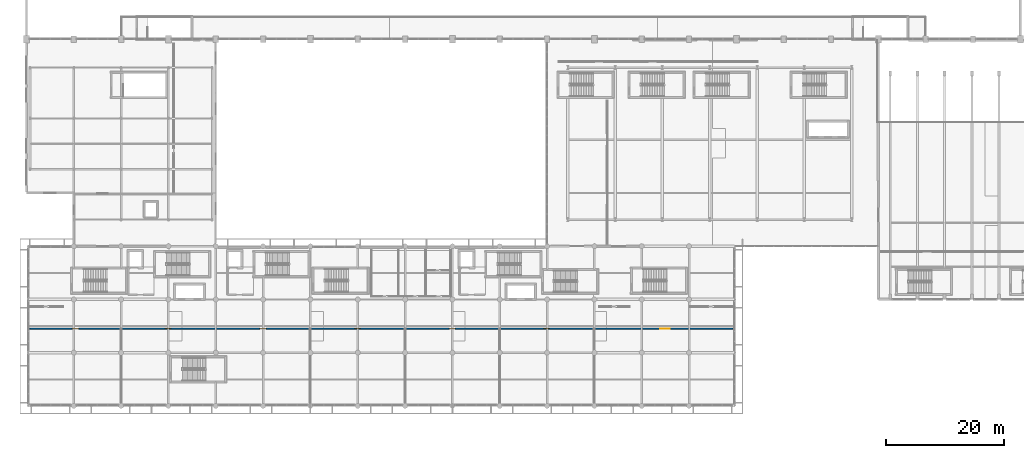
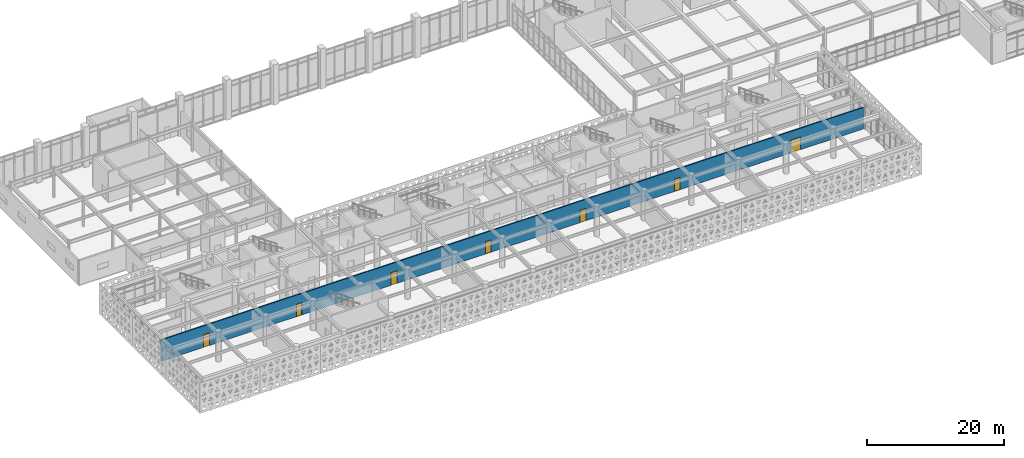
# One storey, part 61 of 84: 7 doors, 1 wall, 7 openings.
"""IFC4 building model written with IfcOpenShell, lengths in metres."""

from ifc_helpers import new_model, si_unit, direction, frame, frame_2d, origin, place, context, subcontext, project, spatial, rectangle, extrude, material, layer, layer_set, type_object, element, fill, save


model = new_model("IFC4")

# Units and contexts
model_context = context("Model", 3, precision=1e-05, world=origin(), true_north=direction((0.0, 1.0)))
body_context = subcontext(model_context, "Body", "Model", "MODEL_VIEW")
ifc_project = project(units=[si_unit("LENGTHUNIT", "METRE"), si_unit("AREAUNIT", "SQUARE_METRE"), si_unit("VOLUMEUNIT", "CUBIC_METRE"), si_unit("PLANEANGLEUNIT", "RADIAN"), si_unit("MASSUNIT", "GRAM", prefix="KILO")], contexts=[model_context])

# Site, building, storey
site_placement = place(None, origin())
site = spatial("IfcSite", under=ifc_project, at=site_placement, CompositionType="ELEMENT")
building_placement = place(site_placement, origin())
building = spatial("IfcBuilding", under=site, at=building_placement, Name="Tlacozan Convention Centre", CompositionType="ELEMENT")
storey_placement = place(building_placement, frame((0.0, 0.0, 6.0)))
storey = spatial("IfcBuildingStorey", under=building, at=storey_placement, Name="L01", CompositionType="ELEMENT", Elevation=6.0)

# Wall, openings, doors
ifc_material_1 = material(Name="Fire-Rated Gypsum Stud Partition Assembly")
ifc_layer = layer(ifc_material_1, 0.179931640625)
ifc_layer_set = layer_set([ifc_layer], Name="Fire-Rated Gypsum Stud Partition Assembly")
wall_type = type_object("IfcWallType", Name="Corridor Rated Partition 180", PredefinedType="PARTITIONING", material=ifc_layer_set)
wall_placement = place(storey_placement, frame((0.60009765625, 13.050048828125, 0.0), z_axis=(0.0, 0.0, 1.0), x_axis=(1.0, 0.0, 0.0)))
wall = element("IfcWall", 1, at=wall_placement, inside=storey, type_object=wall_type, Name="L01 Corridor Rated Partition 180 585", PredefinedType="PARTITIONING", context=body_context, shape_type="SweptSolid", body=[
    extrude(rectangle(XDim=118.7998046875, YDim=0.179931640625, at=frame_2d((59.39990234375, 0.0))), origin(), (0.0, 0.0, 1.0), 3.85009765625),
])
opening_1_placement = place(wall_placement, frame((7.14990234375, 0.0, 0.0)))
opening_1 = element("IfcOpeningElement", 2, at=opening_1_placement, cuts=wall, Name="Opening ID-02", PredefinedType="OPENING", context=body_context, shape_type="SweptSolid", body=[
    extrude(rectangle(XDim=1.050048828125, YDim=2.25, at=frame_2d((0.52490234375, 1.125))), frame((0.0, 0.099853515625, 0.0), z_axis=(0.0, -1.0, 0.0), x_axis=(1.0, 0.0, 0.0)), (0.0, 0.0, 1.0), 0.199951171875),
])
opening_2_placement = place(wall_placement, frame((22.85009765625, 0.0, 0.0)))
opening_2 = element("IfcOpeningElement", 3, at=opening_2_placement, cuts=wall, Name="Opening ID-01", PredefinedType="OPENING", context=body_context, shape_type="SweptSolid", body=[
    extrude(rectangle(XDim=0.949951171875, YDim=2.199951171875, at=frame_2d((0.47509765625, 1.10009765625))), frame((0.0, 0.099853515625, 0.0), z_axis=(0.0, -1.0, 0.0), x_axis=(1.0, 0.0, 0.0)), (0.0, 0.0, 1.0), 0.199951171875),
])
opening_3_placement = place(wall_placement, frame((38.85009765625, 0.0, 0.0)))
opening_3 = element("IfcOpeningElement", 4, at=opening_3_placement, cuts=wall, Name="Opening ID-02", PredefinedType="OPENING", context=body_context, shape_type="SweptSolid", body=[
    extrude(rectangle(XDim=1.050048828125, YDim=2.25, at=frame_2d((0.52490234375, 1.125))), frame((0.0, 0.099853515625, 0.0), z_axis=(0.0, -1.0, 0.0), x_axis=(1.0, 0.0, 0.0)), (0.0, 0.0, 1.0), 0.199951171875),
])
opening_4_placement = place(wall_placement, frame((54.85009765625, 0.0, 0.0)))
opening_4 = element("IfcOpeningElement", 5, at=opening_4_placement, cuts=wall, Name="Opening ID-01", PredefinedType="OPENING", context=body_context, shape_type="SweptSolid", body=[
    extrude(rectangle(XDim=0.949951171875, YDim=2.199951171875, at=frame_2d((0.47509765625, 1.10009765625))), frame((0.0, 0.099853515625, 0.0), z_axis=(0.0, -1.0, 0.0), x_axis=(1.0, 0.0, 0.0)), (0.0, 0.0, 1.0), 0.199951171875),
])
opening_5_placement = place(wall_placement, frame((70.85009765625, 0.0, 0.0)))
opening_5 = element("IfcOpeningElement", 6, at=opening_5_placement, cuts=wall, Name="Opening ID-02", PredefinedType="OPENING", context=body_context, shape_type="SweptSolid", body=[
    extrude(rectangle(XDim=1.050048828125, YDim=2.25, at=frame_2d((0.52490234375, 1.125))), frame((0.0, 0.099853515625, 0.0), z_axis=(0.0, -1.0, 0.0), x_axis=(1.0, 0.0, 0.0)), (0.0, 0.0, 1.0), 0.199951171875),
])
opening_6_placement = place(wall_placement, frame((86.85009765625, 0.0, 0.0)))
opening_6 = element("IfcOpeningElement", 7, at=opening_6_placement, cuts=wall, Name="Opening ID-01", PredefinedType="OPENING", context=body_context, shape_type="SweptSolid", body=[
    extrude(rectangle(XDim=0.949951171875, YDim=2.199951171875, at=frame_2d((0.47509765625, 1.10009765625))), frame((0.0, 0.099853515625, 0.0), z_axis=(0.0, -1.0, 0.0), x_axis=(1.0, 0.0, 0.0)), (0.0, 0.0, 1.0), 0.199951171875),
])
opening_7_placement = place(wall_placement, frame((106.550048828125, 0.0, 0.0)))
opening_7 = element("IfcOpeningElement", 8, at=opening_7_placement, cuts=wall, Name="Opening ID-07", PredefinedType="OPENING", context=body_context, shape_type="SweptSolid", body=[
    extrude(rectangle(XDim=1.60009765625, YDim=2.300048828125, at=frame_2d((0.800048828125, 1.14990234375))), frame((0.0, 0.099853515625, 0.0), z_axis=(0.0, -1.0, 0.0), x_axis=(1.0, 0.0, 0.0)), (0.0, 0.0, 1.0), 0.199951171875),
])
ifc_material_2 = material(Name="Acoustic Solid-Core Oak Veneer Door")
door_type_1 = type_object("IfcDoorType", Name="Conference Double Door 1600x2300", OperationType="DOUBLE_DOOR_SINGLE_SWING", PredefinedType="DOOR", material=ifc_material_2)
door_1_placement = place(opening_7_placement, origin())
door_1 = element("IfcDoor", 9, at=door_1_placement, inside=storey, type_object=door_type_1, Name="L01 Conference Double Door 1600x2300 183", OperationType="DOUBLE_DOOR_SINGLE_SWING", OverallHeight=2.300048828125, OverallWidth=1.60009765625, PredefinedType="DOOR", context=body_context, shape_type="SweptSolid", body=[
    extrude(rectangle(XDim=1.60009765625, YDim=2.300048828125, at=frame_2d((0.800048828125, 1.14990234375))), frame((0.0, 0.02490234375, 0.0), z_axis=(0.0, -1.0, 0.0), x_axis=(1.0, 0.0, 0.0)), (0.0, 0.0, 1.0), 0.050048828125),
])
fill(opening_7, door_1)
door_type_2 = type_object("IfcDoorType", Name="Meeting Acoustic Single Door 1050x2250", OperationType="NOTDEFINED", PredefinedType="DOOR", material=ifc_material_2)
door_2_placement = place(opening_1_placement, origin())
door_2 = element("IfcDoor", 10, at=door_2_placement, inside=storey, type_object=door_type_2, Name="L01 Meeting Acoustic Single Door 1050x2250 177", OperationType="SINGLE_SWING_RIGHT", OverallHeight=2.25, OverallWidth=1.050048828125, PredefinedType="DOOR", context=body_context, shape_type="SweptSolid", body=[
    extrude(rectangle(XDim=1.050048828125, YDim=2.25, at=frame_2d((0.52490234375, 1.125))), frame((0.0, 0.02490234375, 0.0), z_axis=(0.0, -1.0, 0.0), x_axis=(1.0, 0.0, 0.0)), (0.0, 0.0, 1.0), 0.050048828125),
])
fill(opening_1, door_2)
door_3_placement = place(opening_3_placement, origin())
door_3 = element("IfcDoor", 11, at=door_3_placement, inside=storey, type_object=door_type_2, Name="L01 Meeting Acoustic Single Door 1050x2250 179", OperationType="SINGLE_SWING_RIGHT", OverallHeight=2.25, OverallWidth=1.050048828125, PredefinedType="DOOR", context=body_context, shape_type="SweptSolid", body=[
    extrude(rectangle(XDim=1.050048828125, YDim=2.25, at=frame_2d((0.52490234375, 1.125))), frame((0.0, 0.02490234375, 0.0), z_axis=(0.0, -1.0, 0.0), x_axis=(1.0, 0.0, 0.0)), (0.0, 0.0, 1.0), 0.050048828125),
])
fill(opening_3, door_3)
door_4_placement = place(opening_5_placement, origin())
door_4 = element("IfcDoor", 12, at=door_4_placement, inside=storey, type_object=door_type_2, Name="L01 Meeting Acoustic Single Door 1050x2250 181", OperationType="SINGLE_SWING_RIGHT", OverallHeight=2.25, OverallWidth=1.050048828125, PredefinedType="DOOR", context=body_context, shape_type="SweptSolid", body=[
    extrude(rectangle(XDim=1.050048828125, YDim=2.25, at=frame_2d((0.52490234375, 1.125))), frame((0.0, 0.02490234375, 0.0), z_axis=(0.0, -1.0, 0.0), x_axis=(1.0, 0.0, 0.0)), (0.0, 0.0, 1.0), 0.050048828125),
])
fill(opening_5, door_4)
door_type_3 = type_object("IfcDoorType", Name="Meeting Acoustic Single Door 950x2200", OperationType="NOTDEFINED", PredefinedType="DOOR", material=ifc_material_2)
door_5_placement = place(opening_2_placement, origin())
door_5 = element("IfcDoor", 13, at=door_5_placement, inside=storey, type_object=door_type_3, Name="L01 Meeting Acoustic Single Door 950x2200 178", OperationType="SINGLE_SWING_LEFT", OverallHeight=2.199951171875, OverallWidth=0.949951171875, PredefinedType="DOOR", context=body_context, shape_type="SweptSolid", body=[
    extrude(rectangle(XDim=0.949951171875, YDim=2.199951171875, at=frame_2d((0.47509765625, 1.10009765625))), frame((0.0, 0.02490234375, 0.0), z_axis=(0.0, -1.0, 0.0), x_axis=(1.0, 0.0, 0.0)), (0.0, 0.0, 1.0), 0.050048828125),
])
fill(opening_2, door_5)
door_6_placement = place(opening_4_placement, origin())
door_6 = element("IfcDoor", 14, at=door_6_placement, inside=storey, type_object=door_type_3, Name="L01 Meeting Acoustic Single Door 950x2200 180", OperationType="SINGLE_SWING_LEFT", OverallHeight=2.199951171875, OverallWidth=0.949951171875, PredefinedType="DOOR", context=body_context, shape_type="SweptSolid", body=[
    extrude(rectangle(XDim=0.949951171875, YDim=2.199951171875, at=frame_2d((0.47509765625, 1.10009765625))), frame((0.0, 0.02490234375, 0.0), z_axis=(0.0, -1.0, 0.0), x_axis=(1.0, 0.0, 0.0)), (0.0, 0.0, 1.0), 0.050048828125),
])
fill(opening_4, door_6)
door_7_placement = place(opening_6_placement, origin())
door_7 = element("IfcDoor", 15, at=door_7_placement, inside=storey, type_object=door_type_3, Name="L01 Meeting Acoustic Single Door 950x2200 182", OperationType="SINGLE_SWING_LEFT", OverallHeight=2.199951171875, OverallWidth=0.949951171875, PredefinedType="DOOR", context=body_context, shape_type="SweptSolid", body=[
    extrude(rectangle(XDim=0.949951171875, YDim=2.199951171875, at=frame_2d((0.47509765625, 1.10009765625))), frame((0.0, 0.02490234375, 0.0), z_axis=(0.0, -1.0, 0.0), x_axis=(1.0, 0.0, 0.0)), (0.0, 0.0, 1.0), 0.050048828125),
])
fill(opening_6, door_7)

save(model, "model.ifc")
